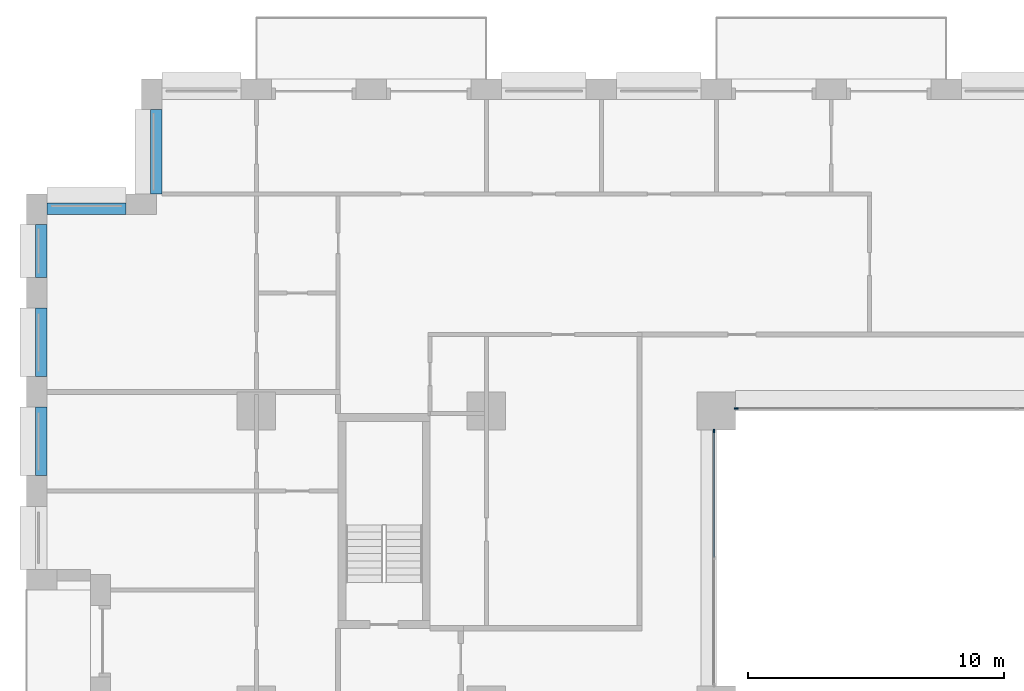
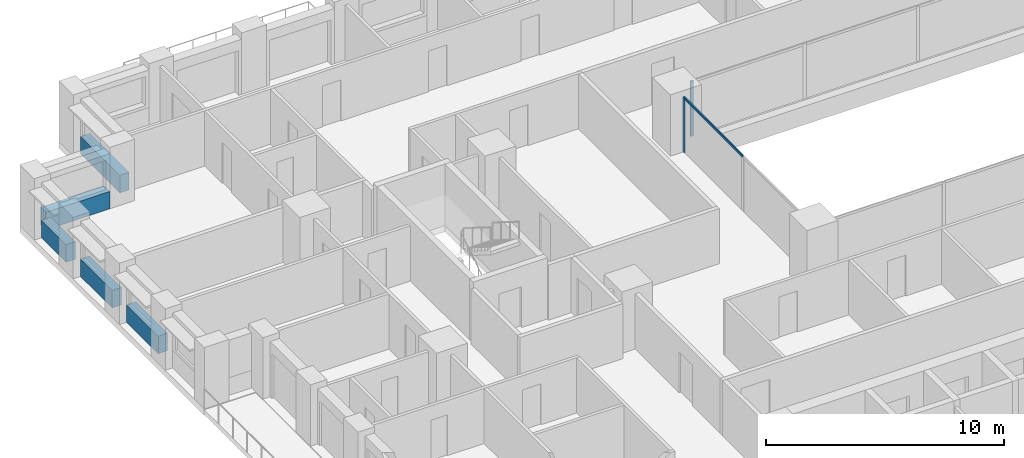
# One storey, part 5 of 20: 5 beams, 3 members, 2 elements without a shape of their own.
"""IFC4 building model written with IfcOpenShell, lengths in metres."""

from ifc_helpers import new_model, si_unit, direction, frame, origin, origin_2d, place, context, subcontext, project, spatial, rectangle, extrude, material, layer, layer_set, material_profile, profile_set, type_object, element, aggregate, save


model = new_model("IFC4")

# Units and contexts
model_context = context("Model", 3, precision=1e-05, world=origin(), true_north=direction((0.0, 1.0)))
body_context = subcontext(model_context, "Body", "Model", "MODEL_VIEW")
ifc_project = project(units=[si_unit("LENGTHUNIT", "METRE"), si_unit("AREAUNIT", "SQUARE_METRE"), si_unit("VOLUMEUNIT", "CUBIC_METRE"), si_unit("PLANEANGLEUNIT", "RADIAN"), si_unit("MASSUNIT", "GRAM", prefix="KILO")], contexts=[model_context])

# Site, building, storey
site_placement = place(None, origin())
site = spatial("IfcSite", under=ifc_project, at=site_placement, CompositionType="ELEMENT")
building_placement = place(site_placement, origin())
building = spatial("IfcBuilding", under=site, at=building_placement, Name="Brigalow Station Residences", CompositionType="ELEMENT")
storey_placement = place(building_placement, frame((0.0, 0.0, 41.550048828125)))
storey = spatial("IfcBuildingStorey", under=building, at=storey_placement, Name="L11", CompositionType="ELEMENT", Elevation=41.550048828125)

# Curtain wall, member
ifc_material_1 = material(Name="Aluminium", Category="aluminium")
ifc_layer = layer(ifc_material_1, 0.14990234375)
ifc_layer_set = layer_set([ifc_layer], Name="ATRIUM FIRE-RATED GLAZING CURTAIN WALL")
curtain_wall_type = type_object("IfcCurtainWallType", Name="ATRIUM FIRE-RATED GLAZING CURTAIN WALL", PredefinedType="NOTDEFINED", material=ifc_layer_set)
curtain_wall_1_placement = place(storey_placement, origin())
curtain_wall_1 = element("IfcCurtainWall", 1, at=curtain_wall_1_placement, inside=storey, type_object=curtain_wall_type, Name="L11/cw/atrium-N", PredefinedType="NOTDEFINED")
ifc_material_2 = material(Name="Aluminium", Category="aluminium")
ifc_material_profile_1 = material_profile(ifc_material_2, rectangle(XDim=0.06005859375, YDim=0.14990234375, at=origin_2d()), Name="ATRIUM FIRE-RATED GLAZING MULLION 60x150")
ifc_profile_set_1 = profile_set([ifc_material_profile_1], Name="Aluminium")
member_type_1 = type_object("IfcMemberType", Name="ATRIUM FIRE-RATED GLAZING MULLION 60x150", PredefinedType="MULLION", material=ifc_profile_set_1)
member_1_placement = place(storey_placement, frame((27.780029296875, 35.60009765625, 0.0), z_axis=(0.0, 0.0, 1.0), x_axis=(0.0, -1.0, 0.0)))
member_1 = element("IfcMember", 2, at=member_1_placement, type_object=member_type_1, Name="L11/cw/atrium-N/M03", PredefinedType="MULLION", context=body_context, shape_type="SweptSolid", body=[
    extrude(rectangle(XDim=0.06005859375, YDim=0.14990234375, at=origin_2d()), origin(), (0.0, 0.0, 1.0), 2.829833984375),
])
aggregate(curtain_wall_1, [member_1])

# Curtain wall, members
curtain_wall_2_placement = place(storey_placement, origin())
curtain_wall_2 = element("IfcCurtainWall", 3, at=curtain_wall_2_placement, inside=storey, type_object=curtain_wall_type, Name="L11/cw/atrium-W", PredefinedType="NOTDEFINED")
member_2_placement = place(storey_placement, frame((26.89990234375, 34.719970703125, 0.0), z_axis=(0.0, 0.0, 1.0), x_axis=(1.0, 0.0, 0.0)))
member_2 = element("IfcMember", 4, at=member_2_placement, type_object=member_type_1, Name="L11/cw/atrium-W/M00", PredefinedType="MULLION", context=body_context, shape_type="SweptSolid", body=[
    extrude(rectangle(XDim=0.06005859375, YDim=0.14990234375, at=origin_2d()), origin(), (0.0, 0.0, 1.0), 2.829833984375),
])
ifc_material_3 = material(Name="Aluminium", Category="aluminium")
ifc_material_profile_2 = material_profile(ifc_material_3, rectangle(XDim=0.06005859375, YDim=0.1201171875, at=origin_2d()), Name="ATRIUM FIRE-RATED GLAZING TRANSOM 60x120")
ifc_profile_set_2 = profile_set([ifc_material_profile_2], Name="Aluminium")
member_type_2 = type_object("IfcMemberType", Name="ATRIUM FIRE-RATED GLAZING TRANSOM 60x120", PredefinedType="USERDEFINED", material=ifc_profile_set_2)
member_3_placement = place(storey_placement, frame((26.89990234375, 34.68994140625, 2.800048828125), z_axis=(0.0, -1.0, 0.0), x_axis=(1.0, 0.0, 0.0)))
member_3 = element("IfcMember", 5, at=member_3_placement, type_object=member_type_2, Name="L11/cw/atrium-W/T00-00", ObjectType="TRANSOM", PredefinedType="USERDEFINED", context=body_context, shape_type="SweptSolid", body=[
    extrude(rectangle(XDim=0.06005859375, YDim=0.1201171875, at=origin_2d()), origin(), (0.0, 0.0, 1.0), 4.909912109375),
])
aggregate(curtain_wall_2, [member_2, member_3])

# Beams
ifc_material_4 = material(Name="Concrete C65", Category="concrete")
ifc_material_profile_3 = material_profile(ifc_material_4, rectangle(XDim=0.449951171875, YDim=0.89990234375, at=origin_2d()), Name="RC450x900")
ifc_profile_set_3 = profile_set([ifc_material_profile_3], Name="Concrete C65")
beam_type = type_object("IfcBeamType", Name="SPANDREL BEAM 450x900 C65", PredefinedType="SPANDREL", material=ifc_profile_set_3)
beam_1_placement = place(storey_placement, frame((5.074951171875, 47.300048828125, 0.449951171875), z_axis=(0.0, -1.0, 0.0), x_axis=(1.0, 0.0, 0.0)))
element("IfcBeam", 6, at=beam_1_placement, inside=storey, type_object=beam_type, Name="L11/spandrel/W-L11-40", PredefinedType="SPANDREL", context=body_context, shape_type="SweptSolid", body=[
    extrude(rectangle(XDim=0.449951171875, YDim=0.89990234375, at=origin_2d()), origin(), (0.0, 0.0, 1.0), 3.300048828125),
])
beam_2_placement = place(storey_placement, frame((3.89990234375, 43.425048828125, 0.449951171875), z_axis=(-1.0, 0.0, 0.0), x_axis=(0.0, -1.0, 0.0)))
element("IfcBeam", 7, at=beam_2_placement, inside=storey, type_object=beam_type, Name="L11/spandrel/W-L11-41", PredefinedType="SPANDREL", context=body_context, shape_type="SweptSolid", body=[
    extrude(rectangle(XDim=0.449951171875, YDim=0.89990234375, at=origin_2d()), origin(), (0.0, 0.0, 1.0), 3.099853515625),
])
beam_3_placement = place(storey_placement, frame((0.574951171875, 42.800048828125, 0.449951171875), z_axis=(0.0, -1.0, 0.0), x_axis=(1.0, 0.0, 0.0)))
element("IfcBeam", 8, at=beam_3_placement, inside=storey, type_object=beam_type, Name="L11/spandrel/W-L11-42", PredefinedType="SPANDREL", context=body_context, shape_type="SweptSolid", body=[
    extrude(rectangle(XDim=0.449951171875, YDim=0.89990234375, at=origin_2d()), origin(), (0.0, 0.0, 1.0), 2.074951171875),
])
for number, where, z_axis, x_axis, name in (
    (9, (0.574951171875, 39.52490234375, 0.449951171875), (0.0, -1.0, 0.0), (1.0, 0.0, 0.0), "L11/spandrel/W-L11-43"),
    (10, (0.574951171875, 35.64990234375, 0.449951171875), (0.0, -1.0, 0.0), (1.0, 0.0, 0.0), "L11/spandrel/W-L11-44"),
):
    element("IfcBeam", number, at=place(storey_placement, frame(where, z_axis=z_axis, x_axis=x_axis)), inside=storey, type_object=beam_type, Name=name, PredefinedType="SPANDREL", context=body_context, shape_type="SweptSolid", body=[
        extrude(rectangle(XDim=0.449951171875, YDim=0.89990234375, at=origin_2d()), origin(), (0.0, 0.0, 1.0), 2.6748046875),
    ])

save(model, "model.ifc")
